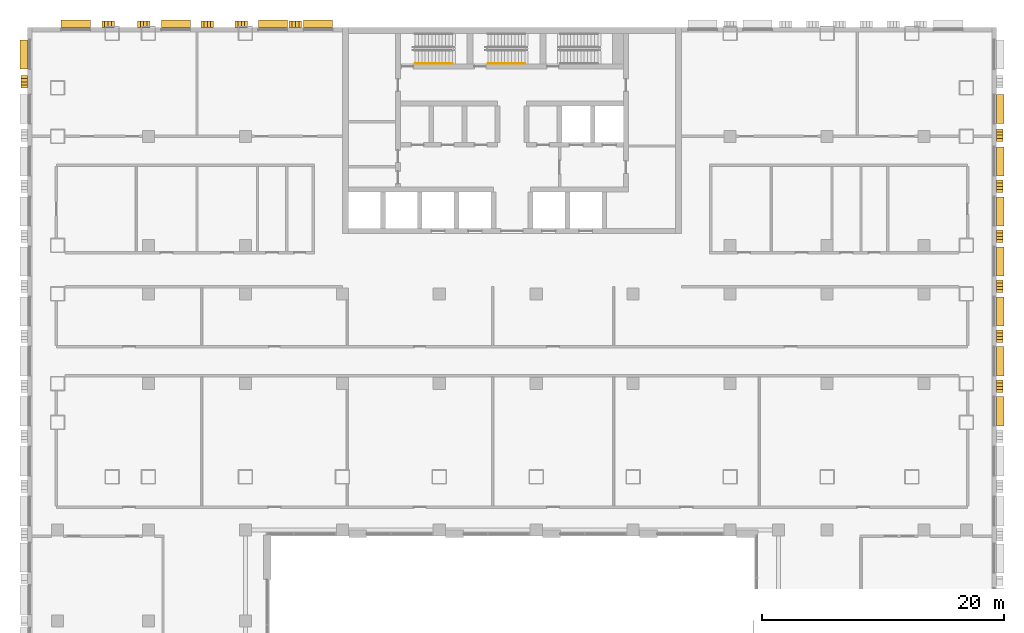
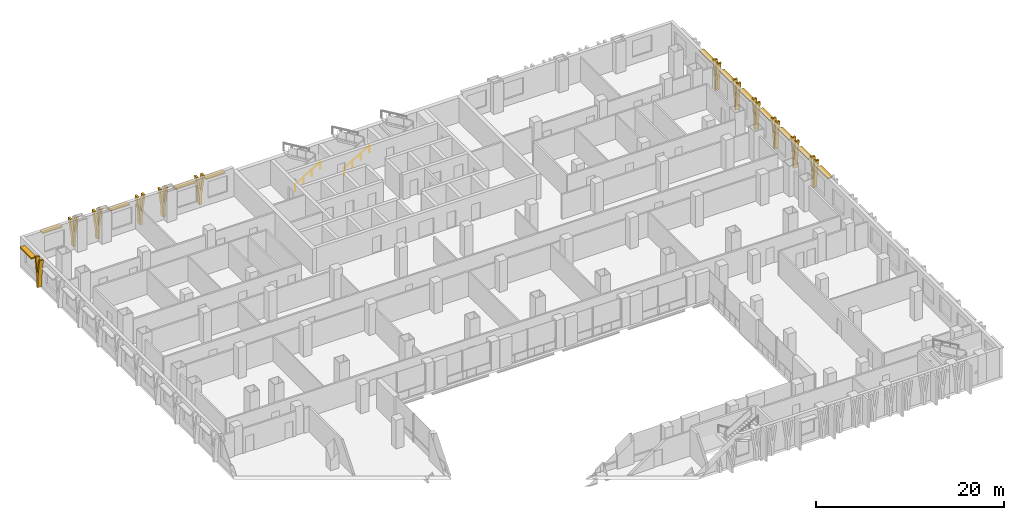
# One storey, part 22 of 24: 24 shading devices, 2 railings.
"""IFC4 building model written with IfcOpenShell, lengths in metres."""

from ifc_helpers import new_model, si_unit, direction, frame, origin, origin_2d, place, context, subcontext, project, spatial, polyline, rectangle, circle, outline, extrude, material, layer, layer_set, type_object, element, save


model = new_model("IFC4")

# Units and contexts
model_context = context("Model", 3, precision=1e-05, world=origin(), true_north=direction((0.0, 1.0)))
body_context = subcontext(model_context, "Body", "Model", "MODEL_VIEW")
ifc_project = project(units=[si_unit("LENGTHUNIT", "METRE"), si_unit("AREAUNIT", "SQUARE_METRE"), si_unit("VOLUMEUNIT", "CUBIC_METRE"), si_unit("PLANEANGLEUNIT", "RADIAN"), si_unit("MASSUNIT", "GRAM", prefix="KILO")], contexts=[model_context])

# Site, building, storey
site_placement = place(None, origin())
site = spatial("IfcSite", under=ifc_project, at=site_placement, CompositionType="ELEMENT")
building_placement = place(site_placement, origin())
building = spatial("IfcBuilding", under=site, at=building_placement, Name="Vidyagriha Tower", CompositionType="ELEMENT")
storey_placement = place(building_placement, frame((0.0, 0.0, 22.0)))
storey = spatial("IfcBuildingStorey", under=building, at=storey_placement, Name="L05", CompositionType="ELEMENT", Elevation=22.0)

# Shading devices
ifc_material_1 = material(Name="Precast concrete C40/50 with brick facing", Category="concrete")
ifc_layer_1 = layer(ifc_material_1, 0.14990234375)
ifc_layer_set_1 = layer_set([ifc_layer_1], Name="Precast concrete C40/50 with brick facing")
shading_device_type_1 = type_object("IfcShadingDeviceType", Name="Brick chhajja window hood", PredefinedType="AWNING", material=ifc_layer_set_1)
for number, where, z_axis, x_axis, name in (
    (1, (40.300048828125, -11.6875, 3.0), (0.0, 0.0, 1.0), (0.0, 1.0, 0.0), "Window hood L05 R01.11"),
    (2, (40.300048828125, -7.5625, 3.0), (0.0, 0.0, 1.0), (0.0, 1.0, 0.0), "Window hood L05 R01.12"),
    (3, (40.300048828125, -3.4375, 3.0), (0.0, 0.0, 1.0), (0.0, 1.0, 0.0), "Window hood L05 R01.13"),
    (4, (40.300048828125, 0.6875, 3.0), (0.0, 0.0, 1.0), (0.0, 1.0, 0.0), "Window hood L05 R01.14"),
    (5, (40.300048828125, 4.8125, 3.0), (0.0, 0.0, 1.0), (0.0, 1.0, 0.0), "Window hood L05 R01.15"),
    (6, (40.300048828125, 8.9375, 3.0), (0.0, 0.0, 1.0), (0.0, 1.0, 0.0), "Window hood L05 R01.16"),
    (7, (40.300048828125, 13.25, 3.0), (0.0, 0.0, 1.0), (0.0, 1.0, 0.0), "Window hood L05 R01.17"),
    (8, (-16.0, 20.300048828125, 3.0), (0.0, 0.0, 1.0), (-1.0, 0.0, 0.0), "Window hood L05 R04.1"),
    (9, (-19.735107421875, 20.300048828125, 3.0), (0.0, 0.0, 1.0), (-1.0, 0.0, 0.0), "Window hood L05 R04.2"),
    (10, (-27.735107421875, 20.300048828125, 3.0), (0.0, 0.0, 1.0), (-1.0, 0.0, 0.0), "Window hood L05 R04.6"),
    (11, (-36.0, 20.300048828125, 3.0), (0.0, 0.0, 1.0), (-1.0, 0.0, 0.0), "Window hood L05 R04.12"),
    (12, (-40.300048828125, 17.75, 3.0), (0.0, 0.0, 1.0), (0.0, -1.0, 0.0), "Window hood L05 R05.1"),
):
    element("IfcShadingDevice", number, at=place(storey_placement, frame(where, z_axis=z_axis, x_axis=x_axis)), inside=storey, type_object=shading_device_type_1, Name=name, PredefinedType="AWNING", context=body_context, shape_type="SweptSolid", body=[
        extrude(rectangle(XDim=2.39990234375, YDim=0.60009765625, at=origin_2d()), origin(), (0.0, 0.0, 1.0), 0.14990234375),
    ])
ifc_material_2 = material(Name="Precast concrete C40/50 with buff brick facing", Category="concrete")
ifc_layer_2 = layer(ifc_material_2, 0.300048828125)
ifc_layer_set_2 = layer_set([ifc_layer_2], Name="Precast concrete C40/50 with buff brick facing")
shading_device_type_2 = type_object("IfcShadingDeviceType", Name="Brick-faced podium blade forking 8 degrees", PredefinedType="USERDEFINED", material=ifc_layer_set_2)
for number, where, z_axis, x_axis, name in (
    (13, (40.25, -10.140380859375, 0.0), (0.0, 0.0, 1.0), (0.0, 1.0, 0.0), "Podium blade L05 R01.4038"),
    (14, (40.25, -6.015380859375, 0.0), (0.0, 0.0, 1.0), (0.0, 1.0, 0.0), "Podium blade L05 R01.4450"),
    (15, (40.25, -1.890380859375, 0.0), (0.0, 0.0, 1.0), (0.0, 1.0, 0.0), "Podium blade L05 R01.4862"),
    (16, (40.25, 2.234619140625, 0.0), (0.0, 0.0, 1.0), (0.0, 1.0, 0.0), "Podium blade L05 R01.5275"),
    (17, (40.25, 6.359619140625, 0.0), (0.0, 0.0, 1.0), (0.0, 1.0, 0.0), "Podium blade L05 R01.5688"),
    (18, (40.25, 10.578369140625, 0.0), (0.0, 0.0, 1.0), (0.0, 1.0, 0.0), "Podium blade L05 R01.6109"),
    (19, (-17.35205078125, 20.25, 0.0), (0.0, 0.0, 1.0), (-1.0, 0.0, 0.0), "Podium blade L05 R04.387"),
    (20, (-21.819580078125, 20.25, 0.0), (0.0, 0.0, 1.0), (-1.0, 0.0, 0.0), "Podium blade L05 R04.833"),
    (21, (-24.61962890625, 20.25, 0.0), (0.0, 0.0, 1.0), (-1.0, 0.0, 0.0), "Podium blade L05 R04.1114"),
    (22, (-29.8857421875, 20.25, 0.0), (0.0, 0.0, 1.0), (-1.0, 0.0, 0.0), "Podium blade L05 R04.1640"),
    (23, (-32.818359375, 20.25, 0.0), (0.0, 0.0, 1.0), (-1.0, 0.0, 0.0), "Podium blade L05 R04.1933"),
    (24, (-40.25, 16.015380859375, 0.0), (0.0, 0.0, 1.0), (0.0, -1.0, 0.0), "Podium blade L05 R05.450"),
):
    element("IfcShadingDevice", number, at=place(storey_placement, frame(where, z_axis=z_axis, x_axis=x_axis)), inside=storey, type_object=shading_device_type_2, Name=name, ObjectType="BLADE FIN", PredefinedType="USERDEFINED", context=body_context, shape_type="SweptSolid", body=[
        extrude(outline(polyline([(0.665283203125, 0.0), (0.665283203125, 1.10009765625), (1.03076171875, 3.699951171875), (0.790771484375, 3.699951171875), (0.515380859375, 1.740478515625), (0.239990234375, 3.699951171875), (0.0, 3.699951171875), (0.365478515625, 1.10009765625), (0.365478515625, 0.0), (0.665283203125, 0.0)])), frame((0.0, 0.25, 0.0), z_axis=(0.0, -1.0, 0.0), x_axis=(1.0, 0.0, 0.0)), (0.0, 0.0, 1.0), 0.5),
    ])

# Railings
ifc_material_3 = material(Name="Steel ASTM A500 Grade C", Category="steel")
railing_type = type_object("IfcRailingType", Name="Stair handrail 900 mm, steel", PredefinedType="HANDRAIL", material=ifc_material_3)
for number, where, name in (
    (25, (-8.0, 17.0, 0.166748046875), "L05 ST1 stair handrail 1"),
    (26, (-2.0, 17.0, 0.166748046875), "L05 ST2 stair handrail 1"),
):
    element("IfcRailing", number, at=place(storey_placement, frame(where)), inside=storey, type_object=railing_type, Name=name, PredefinedType="HANDRAIL", context=body_context, shape_type="SweptSolid", body=[
        extrude(circle(Radius=0.02392578125, at=origin_2d()), frame((0.0, 0.0, 0.8759765625), z_axis=(0.859308565015, 0.0, 0.511457515432), x_axis=(0.0, 1.0, 0.0)), (0.0, 0.0, 1.0), 3.58447265625),
        extrude(circle(Radius=0.02099609375, at=origin_2d()), origin(), (0.0, 0.0, 1.0), 0.851806640625),
        extrude(circle(Radius=0.02099609375, at=origin_2d()), frame((1.026611328125, 0.0, 0.611083984375)), (0.0, 0.0, 1.0), 0.851806640625),
        extrude(circle(Radius=0.02099609375, at=origin_2d()), frame((2.053466796875, 0.0, 1.22216796875)), (0.0, 0.0, 1.0), 0.851806640625),
        extrude(circle(Radius=0.02099609375, at=origin_2d()), frame((3.080078125, 0.0, 1.833251953125)), (0.0, 0.0, 1.0), 0.851806640625),
    ])

save(model, "model.ifc")
